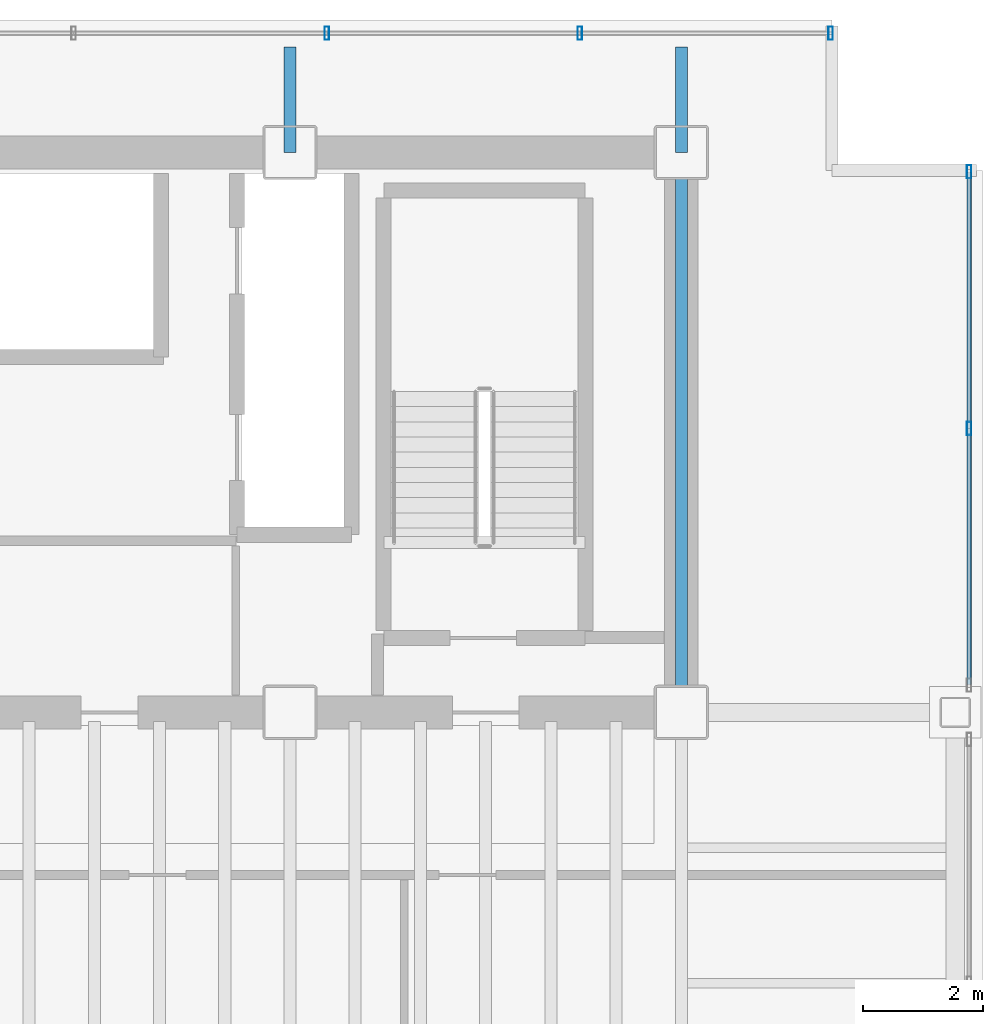
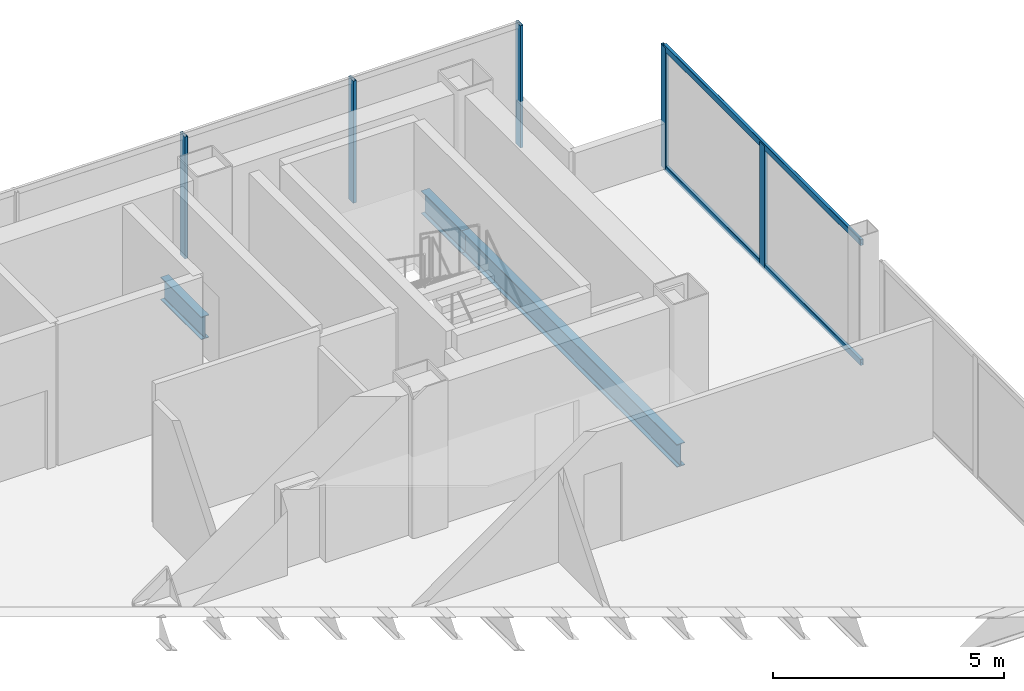
# One storey, part 16 of 20: 7 members, 3 beams, 2 elements without a shape of their own.
"""IFC4 building model written with IfcOpenShell, lengths in metres."""

import ifcopenshell
import ifcopenshell.guid

model = None  # the IFC model being written
_history = None  # IfcOwnerHistory: only IFC2X3 demands one
_inside = {}  # id of a spatial element -> (the spatial element, [elements in it])
_under = {}  # id of a project, library or spatial element -> (it, [spatial elements below it])
_declared = {}  # id of a project -> (the project, [libraries it declares])
_typed = {}  # id of a type object -> (the type object, [elements of that type])
_made_of = {}  # id of a material, layer set ... -> (it, [elements and type objects made of it])


def new_model(schema):
    """Start an empty IFC model of exactly this schema.

    Asked for "IFC4X3", IfcOpenShell would pick the latest addendum, in which some entities
    have other attributes; the version numbers below select the first issue.
    IFC2X3 requires an IfcOwnerHistory on every rooted entity: one is made here for all.
    """
    global model, _history
    if schema == "IFC4X3":
        model = ifcopenshell.file(schema_version=(4, 3, 0, 0))
    else:
        model = ifcopenshell.file(schema=schema)
    _inside.clear()
    _under.clear()
    _declared.clear()
    _typed.clear()
    _made_of.clear()
    _history = None
    if model.schema == "IFC2X3":
        org = make("IfcOrganization", Name="unknown")
        user = make(
            "IfcPersonAndOrganization",
            ThePerson=make("IfcPerson", FamilyName="unknown"),
            TheOrganization=org,
        )
        app = make(
            "IfcApplication",
            ApplicationDeveloper=org,
            Version="unknown",
            ApplicationFullName="unknown",
            ApplicationIdentifier="unknown",
        )
        _history = make(
            "IfcOwnerHistory",
            OwningUser=user,
            OwningApplication=app,
            ChangeAction="ADDED",
            CreationDate=0,
        )
    return model


def make(cls, **values):
    """One entity of the class cls with the attributes given. An attribute that is None is left unset."""
    return model.create_entity(
        cls, **{name: value for name, value in values.items() if value is not None}
    )


def rooted(cls, **values):
    """An entity with a GlobalId (a new one), such as an element, a storey or a relation."""
    return make(cls, GlobalId=ifcopenshell.guid.new(), OwnerHistory=_history, **values)


def si_unit(unit_type, name, prefix=None):
    """IfcSIUnit, for example si_unit("LENGTHUNIT", "METRE", prefix="MILLI")."""
    return make("IfcSIUnit", UnitType=unit_type, Prefix=prefix, Name=name)


def assignment(units):
    """IfcUnitAssignment: the units of a project."""
    return None if units is None else make("IfcUnitAssignment", Units=units)


def point(xyz):
    """IfcCartesianPoint."""
    return None if xyz is None else make("IfcCartesianPoint", Coordinates=xyz)


def direction(xyz):
    """IfcDirection."""
    return None if xyz is None else make("IfcDirection", DirectionRatios=xyz)


def frame(location, z_axis=None, x_axis=None):
    """IfcAxis2Placement3D, a coordinate frame: its origin and axes. An axis left out is left unset."""
    return make(
        "IfcAxis2Placement3D",
        Location=point(location),
        Axis=direction(z_axis),
        RefDirection=direction(x_axis),
    )


def frame_2d(location, x_axis=None):
    """IfcAxis2Placement2D, a coordinate frame in the plane: its origin and x axis."""
    return make(
        "IfcAxis2Placement2D", Location=point(location), RefDirection=direction(x_axis)
    )


def origin():
    """The frame at (0, 0, 0) with its axes left unset."""
    return frame((0.0, 0.0, 0.0))


def origin_2d():
    """The frame at (0, 0) in the plane with its x axis left unset."""
    return frame_2d((0.0, 0.0))


def place(relative_to, where):
    """IfcLocalPlacement: puts the frame where relative to a parent placement (None: the world)."""
    return make(
        "IfcLocalPlacement", PlacementRelTo=relative_to, RelativePlacement=where
    )


def context(
    kind, dimensions, precision=None, world=None, true_north=None, identifier=None
):
    """IfcGeometricRepresentationContext, for example the 3D "Model" context."""
    return make(
        "IfcGeometricRepresentationContext",
        ContextIdentifier=identifier,
        ContextType=kind,
        CoordinateSpaceDimension=dimensions,
        Precision=precision,
        WorldCoordinateSystem=world,
        TrueNorth=true_north,
    )


def subcontext(parent, identifier, kind, view, scale=None):
    """IfcGeometricRepresentationSubContext, for example "Body" below "Model"."""
    return make(
        "IfcGeometricRepresentationSubContext",
        ContextIdentifier=identifier,
        ContextType=kind,
        ParentContext=parent,
        TargetScale=scale,
        TargetView=view,
    )


def project(units=None, contexts=None):
    """IfcProject with its units and contexts."""
    return rooted(
        "IfcProject",
        Name="project",
        RepresentationContexts=contexts,
        UnitsInContext=assignment(units),
    )


def spatial(cls, under=None, at=None, **own):
    """A site, building, storey or space (cls), placed at a placement, below another one or the project."""
    s = rooted(cls, ObjectPlacement=at, **own)
    if under is not None:
        _under.setdefault(under.id(), (under, []))[1].append(s)
    return s


def profile(cls, at=None, kind="AREA", **sizes):
    """A parametric profile (cls). Its sizes go by their IFC names, for example OverallWidth=200.0."""
    return make(cls, ProfileType=kind, Position=at, **sizes)


def hollow_rectangle(**sizes):
    """IfcRectangleHollowProfileDef."""
    return profile("IfcRectangleHollowProfileDef", **sizes)


def i_section(**sizes):
    """IfcIShapeProfileDef."""
    return profile("IfcIShapeProfileDef", **sizes)


def extrude(swept, where, along, depth):
    """IfcExtrudedAreaSolid: the profile swept, set in the frame where, extruded along a direction by depth."""
    return make(
        "IfcExtrudedAreaSolid",
        SweptArea=swept,
        Position=where,
        ExtrudedDirection=direction(along),
        Depth=depth,
    )


def shape(context_of_items, identifier, shape_type, items):
    """IfcShapeRepresentation: the items that make up one representation, for example the "Body"."""
    return make(
        "IfcShapeRepresentation",
        ContextOfItems=context_of_items,
        RepresentationIdentifier=identifier,
        RepresentationType=shape_type,
        Items=items,
    )


def material(Name=None, Category=None):
    """IfcMaterial."""
    return make("IfcMaterial", Name=Name, Category=Category)


def material_profile(
    of_material, cross_section, Name=None, Category=None, Priority=None
):
    """IfcMaterialProfile: a cross section and its material."""
    return make(
        "IfcMaterialProfile",
        Name=Name,
        Material=of_material,
        Profile=cross_section,
        Priority=Priority,
        Category=Category,
    )


def profile_set(profiles, Name=None, composite=None):
    """IfcMaterialProfileSet."""
    return make(
        "IfcMaterialProfileSet",
        Name=Name,
        MaterialProfiles=profiles,
        CompositeProfile=composite,
    )


def made_of(thing, what):
    """Note that an element or type object is made of a material, layer set ...; save() writes the relation."""
    if what is not None:
        _made_of.setdefault(what.id(), (what, []))[1].append(thing)
    return thing


def type_object(cls, material=None, **own):
    """A type object (cls), such as IfcWallType, which elements share."""
    return made_of(rooted(cls, **own), material)


def element(
    cls,
    number,
    at=None,
    inside=None,
    cuts=None,
    type_object=None,
    material=None,
    context=None,
    identifier="Body",
    shape_type=None,
    held_by="IfcProductDefinitionShape",
    body=None,
    shapes=None,
    **own,
):
    """One element of the class cls, such as IfcWall. Its Tag is "e" and its number.

    at: its placement. inside: the storey or other place that contains it. cuts: it is an
    opening in that element (IfcRelVoidsElement). A single representation is given by context,
    identifier, shape_type and body (its items); several are given by shapes. held_by: the class
    of the entity that holds the representations. save() writes the other relations.
    """
    e = rooted(cls, Tag="e%d" % number, ObjectPlacement=at, **own)
    if body is not None:
        shapes = [shape(context, identifier, shape_type, body)]
    if shapes is not None:
        e.Representation = make(held_by, Representations=shapes)
    if inside is not None:
        _inside.setdefault(inside.id(), (inside, []))[1].append(e)
    if cuts is not None:
        rooted(
            "IfcRelVoidsElement", RelatingBuildingElement=cuts, RelatedOpeningElement=e
        )
    if type_object is not None:
        _typed.setdefault(type_object.id(), (type_object, []))[1].append(e)
    return made_of(e, material)


def aggregate(whole, parts):
    """IfcRelAggregates: a whole, such as a stair, and the parts it consists of."""
    return rooted("IfcRelAggregates", RelatingObject=whole, RelatedObjects=parts)


def save(model, path):
    """Write the relations noted so far, then the file.

    IfcRelAggregates (storeys below a building ...), IfcRelContainedInSpatialStructure (elements
    in a storey), IfcRelDefinesByType, IfcRelAssociatesMaterial and IfcRelDeclares: one each for
    every whole, place, type object, material and project.
    """
    for whole, parts in _under.values():
        aggregate(whole, parts)
    for where, things in _inside.values():
        rooted(
            "IfcRelContainedInSpatialStructure",
            RelatedElements=things,
            RelatingStructure=where,
        )
    for kind, things in _typed.values():
        rooted("IfcRelDefinesByType", RelatedObjects=things, RelatingType=kind)
    for what, things in _made_of.values():
        rooted("IfcRelAssociatesMaterial", RelatedObjects=things, RelatingMaterial=what)
    for by, libraries in _declared.values():
        rooted("IfcRelDeclares", RelatingContext=by, RelatedDefinitions=libraries)
    model.write(path)


model = new_model("IFC4")

# Units and contexts
model_context = context("Model", 3, precision=1e-05, world=origin(), true_north=direction((0.0, 1.0)))
body_context = subcontext(model_context, "Body", "Model", "MODEL_VIEW")
ifc_project = project(units=[si_unit("LENGTHUNIT", "METRE"), si_unit("AREAUNIT", "SQUARE_METRE"), si_unit("VOLUMEUNIT", "CUBIC_METRE"), si_unit("PLANEANGLEUNIT", "RADIAN"), si_unit("MASSUNIT", "GRAM", prefix="KILO")], contexts=[model_context])

# Site, building, storey
site_placement = place(None, origin())
site = spatial("IfcSite", under=ifc_project, at=site_placement, CompositionType="ELEMENT")
building_placement = place(site_placement, origin())
building = spatial("IfcBuilding", under=site, at=building_placement, Name="Noeulbin Bourse Tower", CompositionType="ELEMENT")
storey_placement = place(building_placement, frame((0.0, 0.0, 122.699951171875)))
storey = spatial("IfcBuildingStorey", under=building, at=storey_placement, Name="L30", CompositionType="ELEMENT", Elevation=122.699951171875)

# Beams
ifc_material_1 = material(Name="Steel S355", Category="steel")
ifc_material_profile_1 = material_profile(ifc_material_1, i_section(OverallWidth=0.199951171875, OverallDepth=0.60009765625, WebThickness=0.010986328125, FlangeThickness=0.01708984375, FilletRadius=0.02197265625, at=origin_2d()), Name="H-600x200x11x17", Category="LoadBearing")
ifc_profile_set_1 = profile_set([ifc_material_profile_1], Name="Steel S355")
beam_type = type_object("IfcBeamType", Name="BM-GRD-600", PredefinedType="USERDEFINED", material=ifc_profile_set_1)
beam_1_placement = place(storey_placement, frame((37.5, 38.300048828125, -0.47998046875), z_axis=(0.0, 1.0, 0.0), x_axis=(-1.0, 0.0, 0.0)))
element("IfcBeam", 1, at=beam_1_placement, inside=storey, type_object=beam_type, Name="Tower Primary Girder NS L30-4.4", ObjectType="GIRDER", PredefinedType="USERDEFINED", context=body_context, shape_type="SweptSolid", body=[
    extrude(i_section(OverallWidth=0.199951171875, OverallDepth=0.60009765625, WebThickness=0.010986328125, FlangeThickness=0.01708984375, FilletRadius=0.02197265625, at=origin_2d()), origin(), (0.0, 0.0, 1.0), 1.75),
])
beam_2_placement = place(storey_placement, frame((44.0, 29.0, -0.47998046875), z_axis=(0.0, 1.0, 0.0), x_axis=(-1.0, 0.0, 0.0)))
element("IfcBeam", 2, at=beam_2_placement, inside=storey, type_object=beam_type, Name="Tower Primary Girder NS L30-5.3", ObjectType="GIRDER", PredefinedType="USERDEFINED", context=body_context, shape_type="SweptSolid", body=[
    extrude(i_section(OverallWidth=0.199951171875, OverallDepth=0.60009765625, WebThickness=0.010986328125, FlangeThickness=0.01708984375, FilletRadius=0.02197265625, at=origin_2d()), origin(), (0.0, 0.0, 1.0), 9.300048828125),
])
beam_3_placement = place(storey_placement, frame((44.0, 38.300048828125, -0.47998046875), z_axis=(0.0, 1.0, 0.0), x_axis=(-1.0, 0.0, 0.0)))
element("IfcBeam", 3, at=beam_3_placement, inside=storey, type_object=beam_type, Name="Tower Primary Girder NS L30-5.4", ObjectType="GIRDER", PredefinedType="USERDEFINED", context=body_context, shape_type="SweptSolid", body=[
    extrude(i_section(OverallWidth=0.199951171875, OverallDepth=0.60009765625, WebThickness=0.010986328125, FlangeThickness=0.01708984375, FilletRadius=0.02197265625, at=origin_2d()), origin(), (0.0, 0.0, 1.0), 1.75),
])

# Curtain wall, members
ifc_material_2 = material(Name="Dark Tinted Triple Glazing", Category="glass")
curtain_wall_type = type_object("IfcCurtainWallType", Name="CW-SYS-3", PredefinedType="NOTDEFINED", material=ifc_material_2)
curtain_wall_1_placement = place(storey_placement, origin())
curtain_wall_1 = element("IfcCurtainWall", 4, at=curtain_wall_1_placement, inside=storey, type_object=curtain_wall_type, Name="Unitised Curtain Wall CW-L30-N", PredefinedType="NOTDEFINED")
ifc_material_3 = material(Name="Anodised Aluminium 6063-T6", Category="aluminium")
ifc_material_profile_2 = material_profile(ifc_material_3, hollow_rectangle(XDim=0.074951171875, YDim=0.219970703125, WallThickness=0.0048828125, InnerFilletRadius=0.00244140625, OuterFilletRadius=0.0048828125, at=origin_2d()), Name="ALU-MULL-75x220x5", Category="LoadBearing")
ifc_profile_set_2 = profile_set([ifc_material_profile_2], Name="Anodised Aluminium 6063-T6")
member_type_1 = type_object("IfcMemberType", Name="CW-SYS-3-MUL", PredefinedType="MULLION", material=ifc_profile_set_2)
member_1_placement = place(storey_placement, frame((38.112060546875, 40.280029296875, -0.02001953125), z_axis=(0.0, 0.0, 1.0), x_axis=(1.0, 0.0, 0.0)))
member_1 = element("IfcMember", 5, at=member_1_placement, type_object=member_type_1, Name="Curtain Wall Mullion CW-L30-N-M08", PredefinedType="MULLION", context=body_context, shape_type="SweptSolid", body=[
    extrude(hollow_rectangle(XDim=0.074951171875, YDim=0.219970703125, WallThickness=0.0048828125, InnerFilletRadius=0.00244140625, OuterFilletRadius=0.0048828125, at=origin_2d()), origin(), (0.0, 0.0, 1.0), 3.219970703125),
])
member_2_placement = place(storey_placement, frame((42.31591796875, 40.280029296875, -0.02001953125), z_axis=(0.0, 0.0, 1.0), x_axis=(1.0, 0.0, 0.0)))
member_2 = element("IfcMember", 6, at=member_2_placement, type_object=member_type_1, Name="Curtain Wall Mullion CW-L30-N-M09", PredefinedType="MULLION", context=body_context, shape_type="SweptSolid", body=[
    extrude(hollow_rectangle(XDim=0.074951171875, YDim=0.219970703125, WallThickness=0.0048828125, InnerFilletRadius=0.00244140625, OuterFilletRadius=0.0048828125, at=origin_2d()), origin(), (0.0, 0.0, 1.0), 3.219970703125),
])
member_3_placement = place(storey_placement, frame((46.47998046875, 40.280029296875, -0.02001953125), z_axis=(0.0, 0.0, 1.0), x_axis=(1.0, 0.0, 0.0)))
member_3 = element("IfcMember", 7, at=member_3_placement, type_object=member_type_1, Name="Curtain Wall Mullion CW-L30-N-M10", PredefinedType="MULLION", context=body_context, shape_type="SweptSolid", body=[
    extrude(hollow_rectangle(XDim=0.074951171875, YDim=0.219970703125, WallThickness=0.0048828125, InnerFilletRadius=0.00244140625, OuterFilletRadius=0.0048828125, at=origin_2d()), origin(), (0.0, 0.0, 1.0), 3.219970703125),
])
aggregate(curtain_wall_1, [member_1, member_2, member_3])

curtain_wall_2_placement = place(storey_placement, origin())
curtain_wall_2 = element("IfcCurtainWall", 8, at=curtain_wall_2_placement, inside=storey, type_object=curtain_wall_type, Name="Unitised Curtain Wall CW-L30-E-S3", PredefinedType="NOTDEFINED")
member_4_placement = place(storey_placement, frame((48.780029296875, 33.715087890625, -0.02001953125), z_axis=(0.0, 0.0, 1.0), x_axis=(1.0, 0.0, 0.0)))
member_4 = element("IfcMember", 9, at=member_4_placement, type_object=member_type_1, Name="Curtain Wall Mullion CW-L30-E-S3-M01", PredefinedType="MULLION", context=body_context, shape_type="SweptSolid", body=[
    extrude(hollow_rectangle(XDim=0.074951171875, YDim=0.219970703125, WallThickness=0.0048828125, InnerFilletRadius=0.00244140625, OuterFilletRadius=0.0048828125, at=origin_2d()), origin(), (0.0, 0.0, 1.0), 3.219970703125),
])
member_5_placement = place(storey_placement, frame((48.780029296875, 37.97998046875, -0.02001953125), z_axis=(0.0, 0.0, 1.0), x_axis=(1.0, 0.0, 0.0)))
member_5 = element("IfcMember", 10, at=member_5_placement, type_object=member_type_1, Name="Curtain Wall Mullion CW-L30-E-S3-M02", PredefinedType="MULLION", context=body_context, shape_type="SweptSolid", body=[
    extrude(hollow_rectangle(XDim=0.074951171875, YDim=0.219970703125, WallThickness=0.0048828125, InnerFilletRadius=0.00244140625, OuterFilletRadius=0.0048828125, at=origin_2d()), origin(), (0.0, 0.0, 1.0), 3.219970703125),
])
ifc_material_profile_3 = material_profile(ifc_material_3, hollow_rectangle(XDim=0.074951171875, YDim=0.159912109375, WallThickness=0.0048828125, InnerFilletRadius=0.00244140625, OuterFilletRadius=0.0048828125, at=origin_2d()), Name="ALU-TRAN-75x160x5", Category="LoadBearing")
ifc_profile_set_3 = profile_set([ifc_material_profile_3], Name="Anodised Aluminium 6063-T6")
member_type_2 = type_object("IfcMemberType", Name="CW-SYS-3-TRN", PredefinedType="USERDEFINED", material=ifc_profile_set_3)
member_6_placement = place(storey_placement, frame((48.780029296875, 29.4599609375, 0.010009765625), z_axis=(0.0, 1.0, 0.0), x_axis=(-1.0, 0.0, 0.0)))
member_6 = element("IfcMember", 11, at=member_6_placement, type_object=member_type_2, Name="Curtain Wall Transom CW-L30-E-S3-T00", ObjectType="TRANSOM", PredefinedType="USERDEFINED", context=body_context, shape_type="SweptSolid", body=[
    extrude(hollow_rectangle(XDim=0.074951171875, YDim=0.159912109375, WallThickness=0.0048828125, InnerFilletRadius=0.00244140625, OuterFilletRadius=0.0048828125, at=origin_2d()), origin(), (0.0, 0.0, 1.0), 8.510009765625),
])
member_7_placement = place(storey_placement, frame((48.780029296875, 29.4599609375, 3.170166015625), z_axis=(0.0, 1.0, 0.0), x_axis=(-1.0, 0.0, 0.0)))
member_7 = element("IfcMember", 12, at=member_7_placement, type_object=member_type_2, Name="Curtain Wall Transom CW-L30-E-S3-T01", ObjectType="TRANSOM", PredefinedType="USERDEFINED", context=body_context, shape_type="SweptSolid", body=[
    extrude(hollow_rectangle(XDim=0.074951171875, YDim=0.159912109375, WallThickness=0.0048828125, InnerFilletRadius=0.00244140625, OuterFilletRadius=0.0048828125, at=origin_2d()), origin(), (0.0, 0.0, 1.0), 8.510009765625),
])
aggregate(curtain_wall_2, [member_4, member_5, member_6, member_7])

save(model, "model.ifc")
